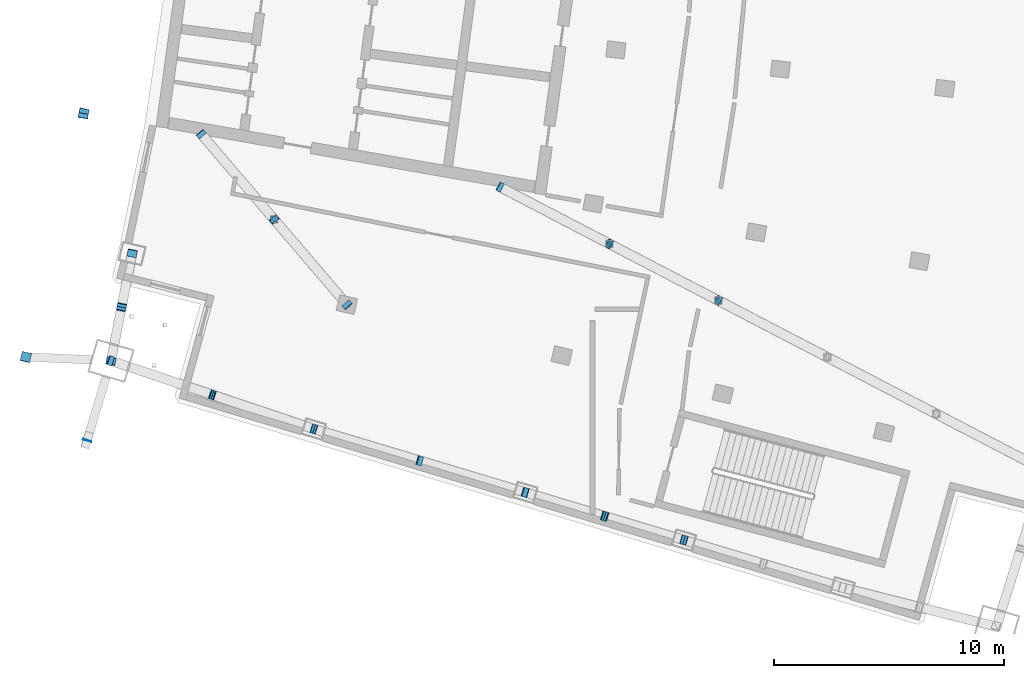
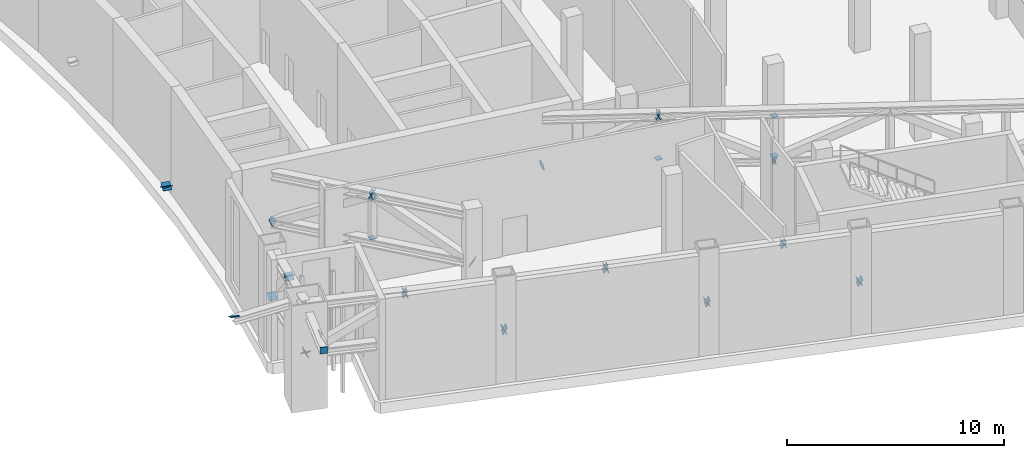
# One storey, part 18 of 23: 36 discrete accessories.
"""IFC4 building model written with IfcOpenShell, lengths in metres."""

import ifcopenshell
import ifcopenshell.guid

model = None  # the IFC model being written
_history = None  # IfcOwnerHistory: only IFC2X3 demands one
_inside = {}  # id of a spatial element -> (the spatial element, [elements in it])
_under = {}  # id of a project, library or spatial element -> (it, [spatial elements below it])
_declared = {}  # id of a project -> (the project, [libraries it declares])
_typed = {}  # id of a type object -> (the type object, [elements of that type])
_made_of = {}  # id of a material, layer set ... -> (it, [elements and type objects made of it])


def new_model(schema):
    """Start an empty IFC model of exactly this schema.

    Asked for "IFC4X3", IfcOpenShell would pick the latest addendum, in which some entities
    have other attributes; the version numbers below select the first issue.
    IFC2X3 requires an IfcOwnerHistory on every rooted entity: one is made here for all.
    """
    global model, _history
    if schema == "IFC4X3":
        model = ifcopenshell.file(schema_version=(4, 3, 0, 0))
    else:
        model = ifcopenshell.file(schema=schema)
    _inside.clear()
    _under.clear()
    _declared.clear()
    _typed.clear()
    _made_of.clear()
    _history = None
    if model.schema == "IFC2X3":
        org = make("IfcOrganization", Name="unknown")
        user = make(
            "IfcPersonAndOrganization",
            ThePerson=make("IfcPerson", FamilyName="unknown"),
            TheOrganization=org,
        )
        app = make(
            "IfcApplication",
            ApplicationDeveloper=org,
            Version="unknown",
            ApplicationFullName="unknown",
            ApplicationIdentifier="unknown",
        )
        _history = make(
            "IfcOwnerHistory",
            OwningUser=user,
            OwningApplication=app,
            ChangeAction="ADDED",
            CreationDate=0,
        )
    return model


def make(cls, **values):
    """One entity of the class cls with the attributes given. An attribute that is None is left unset."""
    return model.create_entity(
        cls, **{name: value for name, value in values.items() if value is not None}
    )


def rooted(cls, **values):
    """An entity with a GlobalId (a new one), such as an element, a storey or a relation."""
    return make(cls, GlobalId=ifcopenshell.guid.new(), OwnerHistory=_history, **values)


def si_unit(unit_type, name, prefix=None):
    """IfcSIUnit, for example si_unit("LENGTHUNIT", "METRE", prefix="MILLI")."""
    return make("IfcSIUnit", UnitType=unit_type, Prefix=prefix, Name=name)


def assignment(units):
    """IfcUnitAssignment: the units of a project."""
    return None if units is None else make("IfcUnitAssignment", Units=units)


def point(xyz):
    """IfcCartesianPoint."""
    return None if xyz is None else make("IfcCartesianPoint", Coordinates=xyz)


def direction(xyz):
    """IfcDirection."""
    return None if xyz is None else make("IfcDirection", DirectionRatios=xyz)


def frame(location, z_axis=None, x_axis=None):
    """IfcAxis2Placement3D, a coordinate frame: its origin and axes. An axis left out is left unset."""
    return make(
        "IfcAxis2Placement3D",
        Location=point(location),
        Axis=direction(z_axis),
        RefDirection=direction(x_axis),
    )


def frame_2d(location, x_axis=None):
    """IfcAxis2Placement2D, a coordinate frame in the plane: its origin and x axis."""
    return make(
        "IfcAxis2Placement2D", Location=point(location), RefDirection=direction(x_axis)
    )


def origin():
    """The frame at (0, 0, 0) with its axes left unset."""
    return frame((0.0, 0.0, 0.0))


def origin_2d():
    """The frame at (0, 0) in the plane with its x axis left unset."""
    return frame_2d((0.0, 0.0))


def place(relative_to, where):
    """IfcLocalPlacement: puts the frame where relative to a parent placement (None: the world)."""
    return make(
        "IfcLocalPlacement", PlacementRelTo=relative_to, RelativePlacement=where
    )


def context(
    kind, dimensions, precision=None, world=None, true_north=None, identifier=None
):
    """IfcGeometricRepresentationContext, for example the 3D "Model" context."""
    return make(
        "IfcGeometricRepresentationContext",
        ContextIdentifier=identifier,
        ContextType=kind,
        CoordinateSpaceDimension=dimensions,
        Precision=precision,
        WorldCoordinateSystem=world,
        TrueNorth=true_north,
    )


def subcontext(parent, identifier, kind, view, scale=None):
    """IfcGeometricRepresentationSubContext, for example "Body" below "Model"."""
    return make(
        "IfcGeometricRepresentationSubContext",
        ContextIdentifier=identifier,
        ContextType=kind,
        ParentContext=parent,
        TargetScale=scale,
        TargetView=view,
    )


def project(units=None, contexts=None):
    """IfcProject with its units and contexts."""
    return rooted(
        "IfcProject",
        Name="project",
        RepresentationContexts=contexts,
        UnitsInContext=assignment(units),
    )


def spatial(cls, under=None, at=None, **own):
    """A site, building, storey or space (cls), placed at a placement, below another one or the project."""
    s = rooted(cls, ObjectPlacement=at, **own)
    if under is not None:
        _under.setdefault(under.id(), (under, []))[1].append(s)
    return s


def profile(cls, at=None, kind="AREA", **sizes):
    """A parametric profile (cls). Its sizes go by their IFC names, for example OverallWidth=200.0."""
    return make(cls, ProfileType=kind, Position=at, **sizes)


def rectangle(**sizes):
    """IfcRectangleProfileDef."""
    return profile("IfcRectangleProfileDef", **sizes)


def extrude(swept, where, along, depth):
    """IfcExtrudedAreaSolid: the profile swept, set in the frame where, extruded along a direction by depth."""
    return make(
        "IfcExtrudedAreaSolid",
        SweptArea=swept,
        Position=where,
        ExtrudedDirection=direction(along),
        Depth=depth,
    )


def shape(context_of_items, identifier, shape_type, items):
    """IfcShapeRepresentation: the items that make up one representation, for example the "Body"."""
    return make(
        "IfcShapeRepresentation",
        ContextOfItems=context_of_items,
        RepresentationIdentifier=identifier,
        RepresentationType=shape_type,
        Items=items,
    )


def material(Name=None, Category=None):
    """IfcMaterial."""
    return make("IfcMaterial", Name=Name, Category=Category)


def material_profile(
    of_material, cross_section, Name=None, Category=None, Priority=None
):
    """IfcMaterialProfile: a cross section and its material."""
    return make(
        "IfcMaterialProfile",
        Name=Name,
        Material=of_material,
        Profile=cross_section,
        Priority=Priority,
        Category=Category,
    )


def profile_set(profiles, Name=None, composite=None):
    """IfcMaterialProfileSet."""
    return make(
        "IfcMaterialProfileSet",
        Name=Name,
        MaterialProfiles=profiles,
        CompositeProfile=composite,
    )


def made_of(thing, what):
    """Note that an element or type object is made of a material, layer set ...; save() writes the relation."""
    if what is not None:
        _made_of.setdefault(what.id(), (what, []))[1].append(thing)
    return thing


def type_object(cls, material=None, **own):
    """A type object (cls), such as IfcWallType, which elements share."""
    return made_of(rooted(cls, **own), material)


def element(
    cls,
    number,
    at=None,
    inside=None,
    cuts=None,
    type_object=None,
    material=None,
    context=None,
    identifier="Body",
    shape_type=None,
    held_by="IfcProductDefinitionShape",
    body=None,
    shapes=None,
    **own,
):
    """One element of the class cls, such as IfcWall. Its Tag is "e" and its number.

    at: its placement. inside: the storey or other place that contains it. cuts: it is an
    opening in that element (IfcRelVoidsElement). A single representation is given by context,
    identifier, shape_type and body (its items); several are given by shapes. held_by: the class
    of the entity that holds the representations. save() writes the other relations.
    """
    e = rooted(cls, Tag="e%d" % number, ObjectPlacement=at, **own)
    if body is not None:
        shapes = [shape(context, identifier, shape_type, body)]
    if shapes is not None:
        e.Representation = make(held_by, Representations=shapes)
    if inside is not None:
        _inside.setdefault(inside.id(), (inside, []))[1].append(e)
    if cuts is not None:
        rooted(
            "IfcRelVoidsElement", RelatingBuildingElement=cuts, RelatedOpeningElement=e
        )
    if type_object is not None:
        _typed.setdefault(type_object.id(), (type_object, []))[1].append(e)
    return made_of(e, material)


def aggregate(whole, parts):
    """IfcRelAggregates: a whole, such as a stair, and the parts it consists of."""
    return rooted("IfcRelAggregates", RelatingObject=whole, RelatedObjects=parts)


def save(model, path):
    """Write the relations noted so far, then the file.

    IfcRelAggregates (storeys below a building ...), IfcRelContainedInSpatialStructure (elements
    in a storey), IfcRelDefinesByType, IfcRelAssociatesMaterial and IfcRelDeclares: one each for
    every whole, place, type object, material and project.
    """
    for whole, parts in _under.values():
        aggregate(whole, parts)
    for where, things in _inside.values():
        rooted(
            "IfcRelContainedInSpatialStructure",
            RelatedElements=things,
            RelatingStructure=where,
        )
    for kind, things in _typed.values():
        rooted("IfcRelDefinesByType", RelatedObjects=things, RelatingType=kind)
    for what, things in _made_of.values():
        rooted("IfcRelAssociatesMaterial", RelatedObjects=things, RelatingMaterial=what)
    for by, libraries in _declared.values():
        rooted("IfcRelDeclares", RelatingContext=by, RelatedDefinitions=libraries)
    model.write(path)


model = new_model("IFC4")

# Units and contexts
model_context = context("Model", 3, precision=1e-05, world=origin(), true_north=direction((0.0, 1.0)))
body_context = subcontext(model_context, "Body", "Model", "MODEL_VIEW")
ifc_project = project(units=[si_unit("LENGTHUNIT", "METRE"), si_unit("AREAUNIT", "SQUARE_METRE"), si_unit("VOLUMEUNIT", "CUBIC_METRE"), si_unit("PLANEANGLEUNIT", "RADIAN"), si_unit("MASSUNIT", "GRAM", prefix="KILO")], contexts=[model_context])

# Site, building, storey
site_placement = place(None, origin())
site = spatial("IfcSite", under=ifc_project, at=site_placement, CompositionType="ELEMENT")
building_placement = place(site_placement, origin())
building = spatial("IfcBuilding", under=site, at=building_placement, Name="Alderwake Tower", CompositionType="ELEMENT")
storey_placement = place(building_placement, frame((0.0, 0.0, 239.60009765625)))
storey = spatial("IfcBuildingStorey", under=building, at=storey_placement, Name="L59", CompositionType="ELEMENT", Elevation=239.60009765625)

# Discrete accessories
ifc_material_1 = material(Name="Steel ASTM A572 Grade 50", Category="steel")
ifc_material_profile_1 = material_profile(ifc_material_1, rectangle(XDim=0.3046875, YDim=0.3046875, at=origin_2d()), Name="HSS12X12X1/2 cap")
ifc_profile_set_1 = profile_set([ifc_material_profile_1], Name="Steel ASTM A572 Grade 50")
discrete_accessory_type_1 = type_object("IfcDiscreteAccessoryType", Name="End cap plate HSS12X12X1/2", PredefinedType="USERDEFINED", material=ifc_profile_set_1)
discrete_accessory_1_placement = place(storey_placement, frame((20.15869140625, 40.147216796875, 3.014404296875), z_axis=(0.0, 0.0, -1.0), x_axis=(1.0, 0.0, 0.0)))
element("IfcDiscreteAccessory", 1, at=discrete_accessory_1_placement, inside=storey, type_object=discrete_accessory_type_1, Name="End cap OR59SR.P1 S", ObjectType="END CAP", PredefinedType="USERDEFINED", context=body_context, shape_type="SweptSolid", body=[
    extrude(rectangle(XDim=0.3046875, YDim=0.3046875, at=origin_2d()), origin(), (0.0, 0.0, 1.0), 0.02978515625),
])
discrete_accessory_2_placement = place(storey_placement, frame((20.15869140625, 40.147216796875, 5.21533203125), z_axis=(0.0, 0.0, 1.0), x_axis=(1.0, 0.0, 0.0)))
element("IfcDiscreteAccessory", 2, at=discrete_accessory_2_placement, inside=storey, type_object=discrete_accessory_type_1, Name="End cap OR59SR.P1 N", ObjectType="END CAP", PredefinedType="USERDEFINED", context=body_context, shape_type="SweptSolid", body=[
    extrude(rectangle(XDim=0.3046875, YDim=0.3046875, at=origin_2d()), origin(), (0.0, 0.0, 1.0), 0.030029296875),
])
discrete_accessory_3_placement = place(storey_placement, frame((34.73046875, 39.087646484375, 3.014404296875), z_axis=(0.0, 0.0, -1.0), x_axis=(1.0, 0.0, 0.0)))
element("IfcDiscreteAccessory", 3, at=discrete_accessory_3_placement, inside=storey, type_object=discrete_accessory_type_1, Name="End cap OR59SF.P1 S", ObjectType="END CAP", PredefinedType="USERDEFINED", context=body_context, shape_type="SweptSolid", body=[
    extrude(rectangle(XDim=0.3046875, YDim=0.3046875, at=origin_2d()), origin(), (0.0, 0.0, 1.0), 0.02978515625),
])
discrete_accessory_4_placement = place(storey_placement, frame((34.73046875, 39.087646484375, 5.21533203125), z_axis=(0.0, 0.0, 1.0), x_axis=(1.0, 0.0, 0.0)))
element("IfcDiscreteAccessory", 4, at=discrete_accessory_4_placement, inside=storey, type_object=discrete_accessory_type_1, Name="End cap OR59SF.P1 N", ObjectType="END CAP", PredefinedType="USERDEFINED", context=body_context, shape_type="SweptSolid", body=[
    extrude(rectangle(XDim=0.3046875, YDim=0.3046875, at=origin_2d()), origin(), (0.0, 0.0, 1.0), 0.030029296875),
])
discrete_accessory_5_placement = place(storey_placement, frame((39.467041015625, 36.623291015625, 3.014404296875), z_axis=(0.0, 0.0, -1.0), x_axis=(1.0, 0.0, 0.0)))
element("IfcDiscreteAccessory", 5, at=discrete_accessory_5_placement, inside=storey, type_object=discrete_accessory_type_1, Name="End cap OR59SF.P2 S", ObjectType="END CAP", PredefinedType="USERDEFINED", context=body_context, shape_type="SweptSolid", body=[
    extrude(rectangle(XDim=0.3046875, YDim=0.3046875, at=origin_2d()), origin(), (0.0, 0.0, 1.0), 0.02978515625),
])
discrete_accessory_6_placement = place(storey_placement, frame((39.467041015625, 36.623291015625, 5.21533203125), z_axis=(0.0, 0.0, 1.0), x_axis=(1.0, 0.0, 0.0)))
element("IfcDiscreteAccessory", 6, at=discrete_accessory_6_placement, inside=storey, type_object=discrete_accessory_type_1, Name="End cap OR59SF.P2 N", ObjectType="END CAP", PredefinedType="USERDEFINED", context=body_context, shape_type="SweptSolid", body=[
    extrude(rectangle(XDim=0.3046875, YDim=0.3046875, at=origin_2d()), origin(), (0.0, 0.0, 1.0), 0.030029296875),
])
ifc_material_2 = material(Name="Steel ASTM A572 Grade 50", Category="steel")
ifc_material_profile_2 = material_profile(ifc_material_2, rectangle(XDim=0.406494140625, YDim=0.406494140625, at=origin_2d()), Name="HSS16X16X5/8 cap")
ifc_profile_set_2 = profile_set([ifc_material_profile_2], Name="Steel ASTM A572 Grade 50")
discrete_accessory_type_2 = type_object("IfcDiscreteAccessoryType", Name="End cap plate HSS16X16X5/8", PredefinedType="USERDEFINED", material=ifc_profile_set_2)
for number, where, z_axis, x_axis, name in (
    (7, (13.06298828125, 34.00244140625, 2.7822265625), (-0.130120009726, -0.650600048632, -0.748190055927), (0.980580675691, -0.196116135138, 0.0), "End cap BT59R02.D1 S"),
    (8, (13.522705078125, 36.333251953125, 5.447509765625), (0.130120009726, 0.650600048632, 0.748190055927), (-0.980580675691, 0.196116135138, 0.0), "End cap BT59R02.D1 N"),
    (9, (13.982177734375, 38.6640625, 2.7822265625), (0.130120009726, 0.650600048632, -0.748190055927), (-0.980580675691, 0.196116135138, 0.0), "End cap BT59R02.D2 S"),
    (10, (13.522705078125, 36.333251953125, 5.447509765625), (-0.130120009726, -0.650600048632, 0.748190055927), (0.980580675691, -0.196116135138, 0.0), "End cap BT59R02.D2 N"),
    (11, (13.06298828125, 34.00244140625, 2.7822265625), (-0.822525752712, 0.276889857349, -0.496772979361), (-0.319041445375, -0.947740764203, 0.0), "End cap BT59E020.D1 S"),
    (12, (17.474365234375, 32.52001953125, 5.447509765625), (0.822525752712, -0.276889857349, 0.496772979361), (0.319041445375, 0.947740764203, 0.0), "End cap BT59E020.D1 N"),
):
    element("IfcDiscreteAccessory", number, at=place(storey_placement, frame(where, z_axis=z_axis, x_axis=x_axis)), inside=storey, type_object=discrete_accessory_type_2, Name=name, ObjectType="END CAP", PredefinedType="USERDEFINED", context=body_context, shape_type="SweptSolid", body=[
        extrude(rectangle(XDim=0.406494140625, YDim=0.406494140625, at=origin_2d()), origin(), (0.0, 0.0, 1.0), 0.030029296875),
    ])
discrete_accessory_7_placement = place(storey_placement, frame((21.885498046875, 31.03759765625, 2.7822265625), z_axis=(0.825133622151, -0.275044540717, -0.493462264228), x_axis=(0.316227766017, 0.948683298051, 0.0)))
element("IfcDiscreteAccessory", 13, at=discrete_accessory_7_placement, inside=storey, type_object=discrete_accessory_type_2, Name="End cap BT59E020.D2 S", ObjectType="END CAP", PredefinedType="USERDEFINED", context=body_context, shape_type="SweptSolid", body=[
    extrude(rectangle(XDim=0.406494140625, YDim=0.406494140625, at=origin_2d()), origin(), (0.0, 0.0, 1.0), 0.0302734375),
])
discrete_accessory_8_placement = place(storey_placement, frame((17.474365234375, 32.52001953125, 5.447509765625), z_axis=(-0.822525752712, 0.276889857349, 0.496772979361), x_axis=(-0.319041445375, -0.947740764203, 0.0)))
element("IfcDiscreteAccessory", 14, at=discrete_accessory_8_placement, inside=storey, type_object=discrete_accessory_type_2, Name="End cap BT59E020.D2 N", ObjectType="END CAP", PredefinedType="USERDEFINED", context=body_context, shape_type="SweptSolid", body=[
    extrude(rectangle(XDim=0.406494140625, YDim=0.406494140625, at=origin_2d()), origin(), (0.0, 0.0, 1.0), 0.030029296875),
])
discrete_accessory_9_placement = place(storey_placement, frame((21.885498046875, 31.03759765625, 2.7822265625), z_axis=(-0.835504418211, 0.245736593591, -0.491473187183), x_axis=(-0.282166323992, -0.959365501571, 0.0)))
element("IfcDiscreteAccessory", 15, at=discrete_accessory_9_placement, inside=storey, type_object=discrete_accessory_type_2, Name="End cap BT59E021.D1 S", ObjectType="END CAP", PredefinedType="USERDEFINED", context=body_context, shape_type="SweptSolid", body=[
    extrude(rectangle(XDim=0.406494140625, YDim=0.406494140625, at=origin_2d()), origin(), (0.0, 0.0, 1.0), 0.02978515625),
])
for number, where, z_axis, x_axis, name in (
    (16, (26.48291015625, 29.6572265625, 5.447509765625), (0.836265988917, -0.251691705402, 0.487145236262), (0.288200688743, 0.957570030341, 0.0), "End cap BT59E021.D1 N"),
    (17, (31.080322265625, 28.27685546875, 2.7822265625), (0.836265988917, -0.251691705402, -0.487145236262), (0.288200688743, 0.957570030341, 0.0), "End cap BT59E021.D2 S"),
):
    element("IfcDiscreteAccessory", number, at=place(storey_placement, frame(where, z_axis=z_axis, x_axis=x_axis)), inside=storey, type_object=discrete_accessory_type_2, Name=name, ObjectType="END CAP", PredefinedType="USERDEFINED", context=body_context, shape_type="SweptSolid", body=[
        extrude(rectangle(XDim=0.406494140625, YDim=0.406494140625, at=origin_2d()), origin(), (0.0, 0.0, 1.0), 0.030029296875),
    ])
discrete_accessory_10_placement = place(storey_placement, frame((26.48291015625, 29.6572265625, 5.447509765625), z_axis=(-0.833799847145, 0.253409757466, 0.49047049832), x_axis=(-0.290788330333, -0.956787409482, 0.0)))
element("IfcDiscreteAccessory", 18, at=discrete_accessory_10_placement, inside=storey, type_object=discrete_accessory_type_2, Name="End cap BT59E021.D2 N", ObjectType="END CAP", PredefinedType="USERDEFINED", context=body_context, shape_type="SweptSolid", body=[
    extrude(rectangle(XDim=0.406494140625, YDim=0.406494140625, at=origin_2d()), origin(), (0.0, 0.0, 1.0), 0.02978515625),
])
discrete_accessory_11_placement = place(storey_placement, frame((31.080322265625, 28.27685546875, 2.7822265625), z_axis=(-0.772128094399, 0.227574596244, -0.593319483065), x_axis=(-0.282712925106, -0.959204567325, 0.0)))
element("IfcDiscreteAccessory", 19, at=discrete_accessory_11_placement, inside=storey, type_object=discrete_accessory_type_2, Name="End cap BT59E022.D1 S", ObjectType="END CAP", PredefinedType="USERDEFINED", context=body_context, shape_type="SweptSolid", body=[
    extrude(rectangle(XDim=0.406494140625, YDim=0.406494140625, at=origin_2d()), origin(), (0.0, 0.0, 1.0), 0.030029296875),
])
discrete_accessory_12_placement = place(storey_placement, frame((34.5283203125, 27.24169921875, 5.447509765625), z_axis=(0.768406241374, -0.226477629037, 0.598548019597), x_axis=(0.282712925106, 0.959204567325, 0.0)))
element("IfcDiscreteAccessory", 20, at=discrete_accessory_12_placement, inside=storey, type_object=discrete_accessory_type_2, Name="End cap BT59E022.D1 N", ObjectType="END CAP", PredefinedType="USERDEFINED", context=body_context, shape_type="SweptSolid", body=[
    extrude(rectangle(XDim=0.406494140625, YDim=0.406494140625, at=origin_2d()), origin(), (0.0, 0.0, 1.0), 0.0302734375),
])
discrete_accessory_13_placement = place(storey_placement, frame((37.976318359375, 26.20654296875, 2.7822265625), z_axis=(0.772128094399, -0.227574596244, -0.593319483065), x_axis=(0.282712925106, 0.959204567325, 0.0)))
element("IfcDiscreteAccessory", 21, at=discrete_accessory_13_placement, inside=storey, type_object=discrete_accessory_type_2, Name="End cap BT59E022.D2 S", ObjectType="END CAP", PredefinedType="USERDEFINED", context=body_context, shape_type="SweptSolid", body=[
    extrude(rectangle(XDim=0.406494140625, YDim=0.406494140625, at=origin_2d()), origin(), (0.0, 0.0, 1.0), 0.030029296875),
])
discrete_accessory_14_placement = place(storey_placement, frame((34.5283203125, 27.24169921875, 5.447509765625), z_axis=(-0.766977486546, 0.234129969577, 0.597435094783), x_axis=(-0.291962747791, -0.95642969104, 0.0)))
element("IfcDiscreteAccessory", 22, at=discrete_accessory_14_placement, inside=storey, type_object=discrete_accessory_type_2, Name="End cap BT59E022.D2 N", ObjectType="END CAP", PredefinedType="USERDEFINED", context=body_context, shape_type="SweptSolid", body=[
    extrude(rectangle(XDim=0.406494140625, YDim=0.406494140625, at=origin_2d()), origin(), (0.0, 0.0, 1.0), 0.0302734375),
])
for number, where, z_axis, x_axis, name in (
    (23, (37.976318359375, 26.20654296875, 2.7822265625), (-0.772128094399, 0.227574596244, -0.593319483065), (-0.282712925106, -0.959204567325, 0.0), "End cap BT59E023.D1 S"),
    (24, (16.99560546875, 43.850341796875, 2.7822265625), (-0.569557631324, 0.667196082408, -0.48005571783), (-0.760564502202, -0.649262379928, 0.0), "End cap OR59SR.D1 S"),
    (25, (20.15869140625, 40.147216796875, 5.447509765625), (0.569557631324, -0.667196082408, 0.48005571783), (0.760564502202, 0.649262379928, 0.0), "End cap OR59SR.D1 N"),
):
    element("IfcDiscreteAccessory", number, at=place(storey_placement, frame(where, z_axis=z_axis, x_axis=x_axis)), inside=storey, type_object=discrete_accessory_type_2, Name=name, ObjectType="END CAP", PredefinedType="USERDEFINED", context=body_context, shape_type="SweptSolid", body=[
        extrude(rectangle(XDim=0.406494140625, YDim=0.406494140625, at=origin_2d()), origin(), (0.0, 0.0, 1.0), 0.030029296875),
    ])
discrete_accessory_15_placement = place(storey_placement, frame((23.322021484375, 36.444091796875, 2.7822265625), z_axis=(0.572655813526, -0.662644584223, -0.482667042829), x_axis=(0.756612936614, 0.653863031642, 0.0)))
element("IfcDiscreteAccessory", 26, at=discrete_accessory_15_placement, inside=storey, type_object=discrete_accessory_type_2, Name="End cap OR59SR.D2 S", ObjectType="END CAP", PredefinedType="USERDEFINED", context=body_context, shape_type="SweptSolid", body=[
    extrude(rectangle(XDim=0.406494140625, YDim=0.406494140625, at=origin_2d()), origin(), (0.0, 0.0, 1.0), 0.02978515625),
])
for number, where, z_axis, x_axis, name in (
    (27, (20.15869140625, 40.147216796875, 5.447509765625), (-0.569557631324, 0.667196082408, 0.48005571783), (-0.760564502202, -0.649262379928, 0.0), "End cap OR59SR.D2 N"),
    (28, (29.993896484375, 41.552001953125, 2.7822265625), (-0.791079295401, 0.415928289335, -0.448550115949), (-0.465370309963, -0.885116079734, 0.0), "End cap OR59SF.D1 S"),
    (29, (34.73046875, 39.087646484375, 5.447509765625), (0.79410169684, -0.413257005498, 0.445669319655), (0.461637716615, 0.887068553495, 0.0), "End cap OR59SF.D1 N"),
    (30, (39.467041015625, 36.623291015625, 2.7822265625), (0.791079295401, -0.415928289335, -0.448550115949), (0.465370309963, 0.885116079734, 0.0), "End cap OR59SF.D2 S"),
    (31, (34.73046875, 39.087646484375, 5.447509765625), (-0.791079295401, 0.415928289335, 0.448550115949), (-0.465370309963, -0.885116079734, 0.0), "End cap OR59SF.D2 N"),
    (32, (39.467041015625, 36.623291015625, 2.7822265625), (-0.79410169684, 0.413257005498, -0.445669319655), (-0.461637716615, -0.887068553495, 0.0), "End cap OR59SF.D3 S"),
):
    element("IfcDiscreteAccessory", number, at=place(storey_placement, frame(where, z_axis=z_axis, x_axis=x_axis)), inside=storey, type_object=discrete_accessory_type_2, Name=name, ObjectType="END CAP", PredefinedType="USERDEFINED", context=body_context, shape_type="SweptSolid", body=[
        extrude(rectangle(XDim=0.406494140625, YDim=0.406494140625, at=origin_2d()), origin(), (0.0, 0.0, 1.0), 0.030029296875),
    ])
ifc_material_3 = material(Name="Steel ASTM A572 Grade 50", Category="steel")
ifc_material_profile_3 = material_profile(ifc_material_3, rectangle(XDim=0.3740234375, YDim=0.372314453125, at=origin_2d()), Name="W14X132 cap")
ifc_profile_set_3 = profile_set([ifc_material_profile_3], Name="Steel ASTM A572 Grade 50")
discrete_accessory_type_3 = type_object("IfcDiscreteAccessoryType", Name="End cap plate W14X132", PredefinedType="USERDEFINED", material=ifc_profile_set_3)
discrete_accessory_16_placement = place(storey_placement, frame((12.031005859375, 30.550537109375, 5.34375), z_axis=(-0.284364947432, -0.958716108487, 0.0), x_axis=(0.958716108487, -0.284364947432, 0.0)))
element("IfcDiscreteAccessory", 33, at=discrete_accessory_16_placement, inside=storey, type_object=discrete_accessory_type_3, Name="End cap BS.SR02-C0.2456 N", ObjectType="END CAP", PredefinedType="USERDEFINED", context=body_context, shape_type="SweptSolid", body=[
    extrude(rectangle(XDim=0.3740234375, YDim=0.372314453125, at=origin_2d()), origin(), (0.0, 0.0, 1.0), 0.030029296875),
])
ifc_material_4 = material(Name="Steel ASTM A572 Grade 50", Category="steel")
ifc_material_profile_4 = material_profile(ifc_material_4, rectangle(XDim=0.41552734375, YDim=0.445556640625, at=origin_2d()), Name="W14X342 cap")
ifc_profile_set_4 = profile_set([ifc_material_profile_4], Name="Steel ASTM A572 Grade 50")
discrete_accessory_type_4 = type_object("IfcDiscreteAccessoryType", Name="End cap plate W14X342", PredefinedType="USERDEFINED", material=ifc_profile_set_4)
for number, where, z_axis, x_axis, name in (
    (34, (9.359619140625, 34.171630859375, 6.0), (-0.105869651339, -0.43162242469, -0.895820126716), (0.971210844098, -0.238221527798, 0.0), "End cap BRR5.1.2A S"),
    (35, (11.875, 44.755615234375, 6.0), (0.105495990526, 0.438214114494, -0.892658381376), (-0.972223637158, 0.234053838575, 0.0), "End cap BRR5.1.2B1 S"),
    (36, (11.875, 44.755615234375, 6.0), (-0.056826119483, -0.446490938798, -0.892981877596), (0.991997911724, -0.126254279674, 0.0), "End cap BRR5.1.4A S"),
):
    element("IfcDiscreteAccessory", number, at=place(storey_placement, frame(where, z_axis=z_axis, x_axis=x_axis)), inside=storey, type_object=discrete_accessory_type_4, Name=name, ObjectType="END CAP", PredefinedType="USERDEFINED", context=body_context, shape_type="SweptSolid", body=[
        extrude(rectangle(XDim=0.41552734375, YDim=0.445556640625, at=origin_2d()), origin(), (0.0, 0.0, 1.0), 0.030029296875),
    ])

save(model, "model.ifc")
